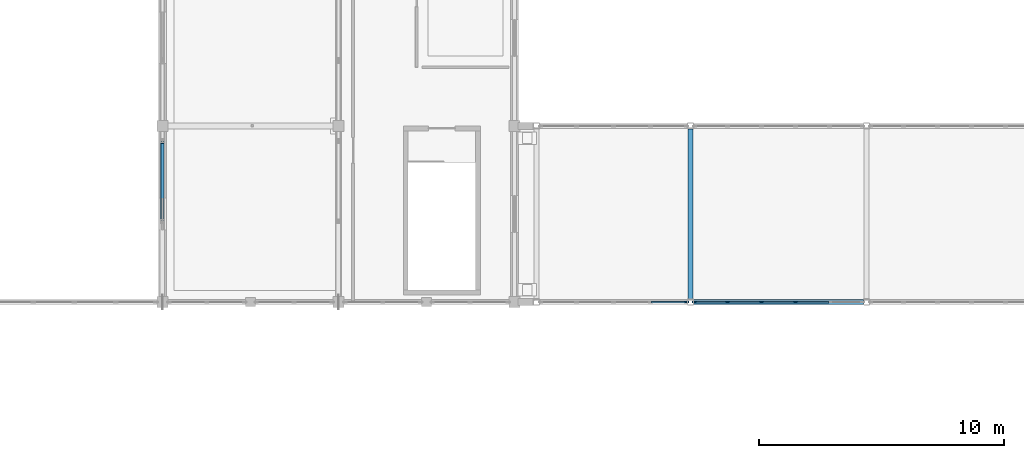
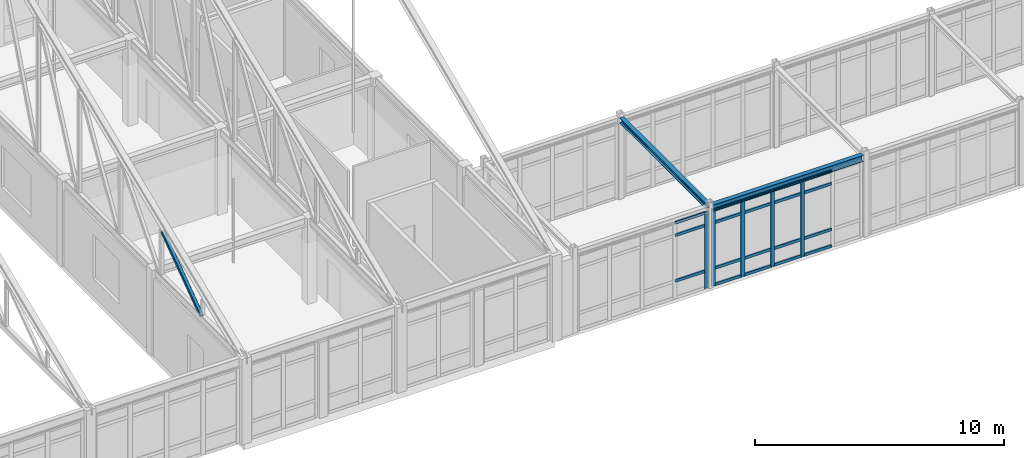
# One storey, part 32 of 136: 25 members, 2 beams, 2 elements without a shape of their own.
"""IFC4 building model written with IfcOpenShell, lengths in metres."""

from ifc_helpers import new_model, si_unit, direction, frame, origin, origin_2d, place, context, subcontext, project, spatial, rectangle, hollow_rectangle, i_section, extrude, material, layer, layer_set, material_profile, profile_set, type_object, element, aggregate, save


model = new_model("IFC4")

# Units and contexts
model_context = context("Model", 3, precision=1e-05, world=origin(), true_north=direction((0.0, 1.0)))
body_context = subcontext(model_context, "Body", "Model", "MODEL_VIEW")
ifc_project = project(units=[si_unit("LENGTHUNIT", "METRE"), si_unit("AREAUNIT", "SQUARE_METRE"), si_unit("VOLUMEUNIT", "CUBIC_METRE"), si_unit("PLANEANGLEUNIT", "RADIAN"), si_unit("MASSUNIT", "GRAM", prefix="KILO")], contexts=[model_context])

# Site, building, storey
site_placement = place(None, origin())
site = spatial("IfcSite", under=ifc_project, at=site_placement, CompositionType="ELEMENT")
building_placement = place(site_placement, origin())
building = spatial("IfcBuilding", under=site, at=building_placement, Name="Koriwan Promenade Central Fire Station", CompositionType="ELEMENT")
storey_placement = place(building_placement, frame((0.0, 0.0, 5.39990234375)))
storey = spatial("IfcBuildingStorey", under=building, at=storey_placement, Name="L01", CompositionType="ELEMENT", Elevation=5.39990234375)

# Curtain wall, member
ifc_material_1 = material(Name="Aluminium EN AW-6063-T6 and low-E glazing", Category="aluminium")
ifc_layer_1 = layer(ifc_material_1, 0.159912109375, Name="Aluminium EN AW-6063-T6 and low-E glazing")
ifc_layer_set_1 = layer_set([ifc_layer_1], Name="Aluminium EN AW-6063-T6 and low-E glazing")
curtain_wall_type_1 = type_object("IfcCurtainWallType", Name="CurtainWall_97_605x374", PredefinedType="USERDEFINED", material=ifc_layer_set_1)
curtain_wall_1_placement = place(storey_placement, origin())
curtain_wall_1 = element("IfcCurtainWall", 1, at=curtain_wall_1_placement, inside=storey, type_object=curtain_wall_type_1, Name="V5 L01 unitised curtain wall 308", ObjectType="UNITISED CURTAIN WALL", PredefinedType="USERDEFINED")
ifc_material_2 = material(Name="Aluminium EN AW-6063-T6", Category="aluminium")
ifc_material_profile_1 = material_profile(ifc_material_2, rectangle(XDim=0.074951171875, YDim=0.179931640625, at=origin_2d()), Name="ALU-MUL-75x180")
ifc_profile_set_1 = profile_set([ifc_material_profile_1], Name="Aluminium EN AW-6063-T6")
member_type_1 = type_object("IfcMemberType", Name="CWMullion_ALU-MUL-75x180", PredefinedType="MULLION", material=ifc_profile_set_1)
member_1_placement = place(storey_placement, frame((122.237548828125, 43.199951171875, 0.0), z_axis=(0.0, 0.0, 1.0), x_axis=(0.0, 1.0, 0.0)))
member_1 = element("IfcMember", 2, at=member_1_placement, type_object=member_type_1, Name="CW-97 mullion 5", PredefinedType="MULLION", context=body_context, shape_type="SweptSolid", body=[
    extrude(rectangle(XDim=0.074951171875, YDim=0.179931640625, at=origin_2d()), origin(), (0.0, 0.0, 1.0), 3.739990234375),
])

# Curtain wall, members
ifc_layer_2 = layer(ifc_material_1, 0.159912109375, Name="Aluminium EN AW-6063-T6 and low-E glazing")
ifc_layer_set_2 = layer_set([ifc_layer_2], Name="Aluminium EN AW-6063-T6 and low-E glazing")
curtain_wall_type_2 = type_object("IfcCurtainWallType", Name="CurtainWall_98_695x374", PredefinedType="USERDEFINED", material=ifc_layer_set_2)
curtain_wall_2_placement = place(storey_placement, origin())
curtain_wall_2 = element("IfcCurtainWall", 3, at=curtain_wall_2_placement, inside=storey, type_object=curtain_wall_type_2, Name="V5 L01 unitised curtain wall 310", ObjectType="UNITISED CURTAIN WALL", PredefinedType="USERDEFINED")
member_2_placement = place(storey_placement, frame((122.5625, 43.199951171875, 0.0), z_axis=(0.0, 0.0, 1.0), x_axis=(0.0, 1.0, 0.0)))
member_2 = element("IfcMember", 4, at=member_2_placement, type_object=member_type_1, Name="CW-98 mullion 1", PredefinedType="MULLION", context=body_context, shape_type="SweptSolid", body=[
    extrude(rectangle(XDim=0.074951171875, YDim=0.179931640625, at=origin_2d()), origin(), (0.0, 0.0, 1.0), 3.739990234375),
])
member_3_placement = place(storey_placement, frame((123.9150390625, 43.199951171875, 0.0), z_axis=(0.0, 0.0, 1.0), x_axis=(0.0, 1.0, 0.0)))
member_3 = element("IfcMember", 5, at=member_3_placement, type_object=member_type_1, Name="CW-98 mullion 2", PredefinedType="MULLION", context=body_context, shape_type="SweptSolid", body=[
    extrude(rectangle(XDim=0.074951171875, YDim=0.179931640625, at=origin_2d()), origin(), (0.0, 0.0, 1.0), 3.739990234375),
])
member_4_placement = place(storey_placement, frame((125.304931640625, 43.199951171875, 0.0), z_axis=(0.0, 0.0, 1.0), x_axis=(0.0, 1.0, 0.0)))
member_4 = element("IfcMember", 6, at=member_4_placement, type_object=member_type_1, Name="CW-98 mullion 3", PredefinedType="MULLION", context=body_context, shape_type="SweptSolid", body=[
    extrude(rectangle(XDim=0.074951171875, YDim=0.179931640625, at=origin_2d()), origin(), (0.0, 0.0, 1.0), 3.739990234375),
])
member_5_placement = place(storey_placement, frame((126.695068359375, 43.199951171875, 0.0), z_axis=(0.0, 0.0, 1.0), x_axis=(0.0, 1.0, 0.0)))
member_5 = element("IfcMember", 7, at=member_5_placement, type_object=member_type_1, Name="CW-98 mullion 4", PredefinedType="MULLION", context=body_context, shape_type="SweptSolid", body=[
    extrude(rectangle(XDim=0.074951171875, YDim=0.179931640625, at=origin_2d()), origin(), (0.0, 0.0, 1.0), 3.739990234375),
])

# Member
ifc_material_profile_2 = material_profile(ifc_material_2, rectangle(XDim=0.074951171875, YDim=0.139892578125, at=origin_2d()), Name="ALU-TRN-75x140")
ifc_profile_set_2 = profile_set([ifc_material_profile_2], Name="Aluminium EN AW-6063-T6")
member_type_2 = type_object("IfcMemberType", Name="CWTransom_ALU-TRN-75x140", PredefinedType="USERDEFINED", material=ifc_profile_set_2)
member_6_placement = place(storey_placement, frame((120.800048828125, 43.199951171875, 0.85009765625), z_axis=(1.0, 0.0, 0.0), x_axis=(0.0, 1.0, 0.0)))
member_6 = element("IfcMember", 8, at=member_6_placement, type_object=member_type_2, Name="CW-97 transom 4.2", ObjectType="TRANSOM", PredefinedType="USERDEFINED", context=body_context, shape_type="SweptSolid", body=[
    extrude(rectangle(XDim=0.074951171875, YDim=0.139892578125, at=origin_2d()), origin(), (0.0, 0.0, 1.0), 1.39990234375),
])

member_7_placement = place(storey_placement, frame((120.800048828125, 43.199951171875, 3.090087890625), z_axis=(1.0, 0.0, 0.0), x_axis=(0.0, 1.0, 0.0)))
member_7 = element("IfcMember", 9, at=member_7_placement, type_object=member_type_2, Name="CW-97 transom 4.3", ObjectType="TRANSOM", PredefinedType="USERDEFINED", context=body_context, shape_type="SweptSolid", body=[
    extrude(rectangle(XDim=0.074951171875, YDim=0.139892578125, at=origin_2d()), origin(), (0.0, 0.0, 1.0), 1.39990234375),
])

member_8_placement = place(storey_placement, frame((120.800048828125, 43.199951171875, 3.70263671875), z_axis=(1.0, 0.0, 0.0), x_axis=(0.0, 1.0, 0.0)))
member_8 = element("IfcMember", 10, at=member_8_placement, type_object=member_type_2, Name="CW-97 transom 4.4", ObjectType="TRANSOM", PredefinedType="USERDEFINED", context=body_context, shape_type="SweptSolid", body=[
    extrude(rectangle(XDim=0.074951171875, YDim=0.139892578125, at=origin_2d()), origin(), (0.0, 0.0, 1.0), 1.39990234375),
])

aggregate(curtain_wall_1, [member_1, member_6, member_7, member_8])

member_9_placement = place(storey_placement, frame((122.60009765625, 43.199951171875, 0.03759765625), z_axis=(1.0, 0.0, 0.0), x_axis=(0.0, 1.0, 0.0)))
member_9 = element("IfcMember", 11, at=member_9_placement, type_object=member_type_2, Name="CW-98 transom 1.1", ObjectType="TRANSOM", PredefinedType="USERDEFINED", context=body_context, shape_type="SweptSolid", body=[
    extrude(rectangle(XDim=0.074951171875, YDim=0.139892578125, at=origin_2d()), origin(), (0.0, 0.0, 1.0), 1.27734375),
])

member_10_placement = place(storey_placement, frame((122.60009765625, 43.199951171875, 0.85009765625), z_axis=(1.0, 0.0, 0.0), x_axis=(0.0, 1.0, 0.0)))
member_10 = element("IfcMember", 12, at=member_10_placement, type_object=member_type_2, Name="CW-98 transom 1.2", ObjectType="TRANSOM", PredefinedType="USERDEFINED", context=body_context, shape_type="SweptSolid", body=[
    extrude(rectangle(XDim=0.074951171875, YDim=0.139892578125, at=origin_2d()), origin(), (0.0, 0.0, 1.0), 1.27734375),
])

member_11_placement = place(storey_placement, frame((122.60009765625, 43.199951171875, 3.090087890625), z_axis=(1.0, 0.0, 0.0), x_axis=(0.0, 1.0, 0.0)))
member_11 = element("IfcMember", 13, at=member_11_placement, type_object=member_type_2, Name="CW-98 transom 1.3", ObjectType="TRANSOM", PredefinedType="USERDEFINED", context=body_context, shape_type="SweptSolid", body=[
    extrude(rectangle(XDim=0.074951171875, YDim=0.139892578125, at=origin_2d()), origin(), (0.0, 0.0, 1.0), 1.27734375),
])

member_12_placement = place(storey_placement, frame((122.60009765625, 43.199951171875, 3.70263671875), z_axis=(1.0, 0.0, 0.0), x_axis=(0.0, 1.0, 0.0)))
member_12 = element("IfcMember", 14, at=member_12_placement, type_object=member_type_2, Name="CW-98 transom 1.4", ObjectType="TRANSOM", PredefinedType="USERDEFINED", context=body_context, shape_type="SweptSolid", body=[
    extrude(rectangle(XDim=0.074951171875, YDim=0.139892578125, at=origin_2d()), origin(), (0.0, 0.0, 1.0), 1.27734375),
])

member_13_placement = place(storey_placement, frame((123.952392578125, 43.199951171875, 0.03759765625), z_axis=(1.0, 0.0, 0.0), x_axis=(0.0, 1.0, 0.0)))
member_13 = element("IfcMember", 15, at=member_13_placement, type_object=member_type_2, Name="CW-98 transom 2.1", ObjectType="TRANSOM", PredefinedType="USERDEFINED", context=body_context, shape_type="SweptSolid", body=[
    extrude(rectangle(XDim=0.074951171875, YDim=0.139892578125, at=origin_2d()), origin(), (0.0, 0.0, 1.0), 1.315185546875),
])

member_14_placement = place(storey_placement, frame((123.952392578125, 43.199951171875, 0.85009765625), z_axis=(1.0, 0.0, 0.0), x_axis=(0.0, 1.0, 0.0)))
member_14 = element("IfcMember", 16, at=member_14_placement, type_object=member_type_2, Name="CW-98 transom 2.2", ObjectType="TRANSOM", PredefinedType="USERDEFINED", context=body_context, shape_type="SweptSolid", body=[
    extrude(rectangle(XDim=0.074951171875, YDim=0.139892578125, at=origin_2d()), origin(), (0.0, 0.0, 1.0), 1.315185546875),
])

member_15_placement = place(storey_placement, frame((123.952392578125, 43.199951171875, 3.090087890625), z_axis=(1.0, 0.0, 0.0), x_axis=(0.0, 1.0, 0.0)))
member_15 = element("IfcMember", 17, at=member_15_placement, type_object=member_type_2, Name="CW-98 transom 2.3", ObjectType="TRANSOM", PredefinedType="USERDEFINED", context=body_context, shape_type="SweptSolid", body=[
    extrude(rectangle(XDim=0.074951171875, YDim=0.139892578125, at=origin_2d()), origin(), (0.0, 0.0, 1.0), 1.315185546875),
])

member_16_placement = place(storey_placement, frame((123.952392578125, 43.199951171875, 3.70263671875), z_axis=(1.0, 0.0, 0.0), x_axis=(0.0, 1.0, 0.0)))
member_16 = element("IfcMember", 18, at=member_16_placement, type_object=member_type_2, Name="CW-98 transom 2.4", ObjectType="TRANSOM", PredefinedType="USERDEFINED", context=body_context, shape_type="SweptSolid", body=[
    extrude(rectangle(XDim=0.074951171875, YDim=0.139892578125, at=origin_2d()), origin(), (0.0, 0.0, 1.0), 1.315185546875),
])

member_17_placement = place(storey_placement, frame((125.342529296875, 43.199951171875, 0.03759765625), z_axis=(1.0, 0.0, 0.0), x_axis=(0.0, 1.0, 0.0)))
member_17 = element("IfcMember", 19, at=member_17_placement, type_object=member_type_2, Name="CW-98 transom 3.1", ObjectType="TRANSOM", PredefinedType="USERDEFINED", context=body_context, shape_type="SweptSolid", body=[
    extrude(rectangle(XDim=0.074951171875, YDim=0.139892578125, at=origin_2d()), origin(), (0.0, 0.0, 1.0), 1.31494140625),
])

member_18_placement = place(storey_placement, frame((125.342529296875, 43.199951171875, 0.85009765625), z_axis=(1.0, 0.0, 0.0), x_axis=(0.0, 1.0, 0.0)))
member_18 = element("IfcMember", 20, at=member_18_placement, type_object=member_type_2, Name="CW-98 transom 3.2", ObjectType="TRANSOM", PredefinedType="USERDEFINED", context=body_context, shape_type="SweptSolid", body=[
    extrude(rectangle(XDim=0.074951171875, YDim=0.139892578125, at=origin_2d()), origin(), (0.0, 0.0, 1.0), 1.31494140625),
])

member_19_placement = place(storey_placement, frame((125.342529296875, 43.199951171875, 3.090087890625), z_axis=(1.0, 0.0, 0.0), x_axis=(0.0, 1.0, 0.0)))
member_19 = element("IfcMember", 21, at=member_19_placement, type_object=member_type_2, Name="CW-98 transom 3.3", ObjectType="TRANSOM", PredefinedType="USERDEFINED", context=body_context, shape_type="SweptSolid", body=[
    extrude(rectangle(XDim=0.074951171875, YDim=0.139892578125, at=origin_2d()), origin(), (0.0, 0.0, 1.0), 1.31494140625),
])

member_20_placement = place(storey_placement, frame((125.342529296875, 43.199951171875, 3.70263671875), z_axis=(1.0, 0.0, 0.0), x_axis=(0.0, 1.0, 0.0)))
member_20 = element("IfcMember", 22, at=member_20_placement, type_object=member_type_2, Name="CW-98 transom 3.4", ObjectType="TRANSOM", PredefinedType="USERDEFINED", context=body_context, shape_type="SweptSolid", body=[
    extrude(rectangle(XDim=0.074951171875, YDim=0.139892578125, at=origin_2d()), origin(), (0.0, 0.0, 1.0), 1.31494140625),
])

member_21_placement = place(storey_placement, frame((126.732421875, 43.199951171875, 0.03759765625), z_axis=(1.0, 0.0, 0.0), x_axis=(0.0, 1.0, 0.0)))
member_21 = element("IfcMember", 23, at=member_21_placement, type_object=member_type_2, Name="CW-98 transom 4.1", ObjectType="TRANSOM", PredefinedType="USERDEFINED", context=body_context, shape_type="SweptSolid", body=[
    extrude(rectangle(XDim=0.074951171875, YDim=0.139892578125, at=origin_2d()), origin(), (0.0, 0.0, 1.0), 1.315185546875),
])

member_22_placement = place(storey_placement, frame((126.732421875, 43.199951171875, 0.85009765625), z_axis=(1.0, 0.0, 0.0), x_axis=(0.0, 1.0, 0.0)))
member_22 = element("IfcMember", 24, at=member_22_placement, type_object=member_type_2, Name="CW-98 transom 4.2", ObjectType="TRANSOM", PredefinedType="USERDEFINED", context=body_context, shape_type="SweptSolid", body=[
    extrude(rectangle(XDim=0.074951171875, YDim=0.139892578125, at=origin_2d()), origin(), (0.0, 0.0, 1.0), 1.315185546875),
])

member_23_placement = place(storey_placement, frame((126.732421875, 43.199951171875, 3.090087890625), z_axis=(1.0, 0.0, 0.0), x_axis=(0.0, 1.0, 0.0)))
member_23 = element("IfcMember", 25, at=member_23_placement, type_object=member_type_2, Name="CW-98 transom 4.3", ObjectType="TRANSOM", PredefinedType="USERDEFINED", context=body_context, shape_type="SweptSolid", body=[
    extrude(rectangle(XDim=0.074951171875, YDim=0.139892578125, at=origin_2d()), origin(), (0.0, 0.0, 1.0), 1.315185546875),
])

member_24_placement = place(storey_placement, frame((126.732421875, 43.199951171875, 3.70263671875), z_axis=(1.0, 0.0, 0.0), x_axis=(0.0, 1.0, 0.0)))
member_24 = element("IfcMember", 26, at=member_24_placement, type_object=member_type_2, Name="CW-98 transom 4.4", ObjectType="TRANSOM", PredefinedType="USERDEFINED", context=body_context, shape_type="SweptSolid", body=[
    extrude(rectangle(XDim=0.074951171875, YDim=0.139892578125, at=origin_2d()), origin(), (0.0, 0.0, 1.0), 1.315185546875),
])

aggregate(curtain_wall_2, [member_2, member_3, member_4, member_5, member_9, member_10, member_11, member_12, member_13, member_14, member_15, member_16, member_17, member_18, member_19, member_20, member_21, member_22, member_23, member_24])

ifc_material_3 = material(Name="Steel ASTM A500 Grade C", Category="steel")
ifc_material_profile_3 = material_profile(ifc_material_3, hollow_rectangle(XDim=0.14990234375, YDim=0.14990234375, WallThickness=0.008056640625, InnerFilletRadius=0.008056640625, OuterFilletRadius=0.01611328125, at=origin_2d()), Name="HSS150x150x8")
ifc_profile_set_3 = profile_set([ifc_material_profile_3], Name="Steel ASTM A500 Grade C")
member_type_3 = type_object("IfcMemberType", Name="Member_STRUT_HSS150x150x8", PredefinedType="STRUT", material=ifc_profile_set_3)
member_25_placement = place(storey_placement, frame((100.800048828125, 46.580078125, 4.070068359375), z_axis=(0.0, 0.812399692359, 0.583100968834), x_axis=(-1.0, 0.0, 0.0)))
element("IfcMember", 27, at=member_25_placement, inside=storey, type_object=member_type_3, Name="TR_V1_07 web diagonal 2", PredefinedType="STRUT", context=body_context, shape_type="SweptSolid", body=[
    extrude(hollow_rectangle(XDim=0.14990234375, YDim=0.14990234375, WallThickness=0.008056640625, InnerFilletRadius=0.008056640625, OuterFilletRadius=0.01611328125, at=origin_2d()), origin(), (0.0, 0.0, 1.0), 3.864990234375),
])

# Beams
ifc_material_4 = material(Name="Steel ASTM A992 Grade 50", Category="steel")
ifc_material_profile_4 = material_profile(ifc_material_4, i_section(OverallWidth=0.202880859375, OverallDepth=0.251953125, WebThickness=0.008056640625, FlangeThickness=0.013427734375, FilletRadius=0.012939453125, at=origin_2d()), Name="W250x58")
ifc_profile_set_4 = profile_set([ifc_material_profile_4], Name="Steel ASTM A992 Grade 50")
beam_type_1 = type_object("IfcBeamType", Name="SteelBeam_W250x58", PredefinedType="JOIST", material=ifc_profile_set_4)
beam_1_placement = place(storey_placement, frame((122.39990234375, 43.330078125, 3.89404296875), z_axis=(0.0, 1.0, 0.0), x_axis=(-1.0, 0.0, 0.0)))
element("IfcBeam", 28, at=beam_1_placement, inside=storey, type_object=beam_type_1, Name="Bridge roof cross beam 1138", PredefinedType="JOIST", context=body_context, shape_type="SweptSolid", body=[
    extrude(i_section(OverallWidth=0.202880859375, OverallDepth=0.251953125, WebThickness=0.008056640625, FlangeThickness=0.013427734375, FilletRadius=0.012939453125, at=origin_2d()), origin(), (0.0, 0.0, 1.0), 6.93994140625),
])
ifc_material_profile_5 = material_profile(ifc_material_4, i_section(OverallWidth=0.205078125, OverallDepth=0.31005859375, WebThickness=0.009521484375, FlangeThickness=0.016357421875, FilletRadius=0.014892578125, at=origin_2d()), Name="W310x74")
ifc_profile_set_5 = profile_set([ifc_material_profile_5], Name="Steel ASTM A992 Grade 50")
beam_type_2 = type_object("IfcBeamType", Name="SteelBeam_W310x74", PredefinedType="BEAM", material=ifc_profile_set_5)
beam_2_placement = place(storey_placement, frame((122.530029296875, 43.199951171875, 3.864990234375), z_axis=(1.0, 0.0, 0.0), x_axis=(0.0, 1.0, 0.0)))
element("IfcBeam", 29, at=beam_2_placement, inside=storey, type_object=beam_type_2, Name="Bridge roof girder 1118", PredefinedType="BEAM", context=body_context, shape_type="SweptSolid", body=[
    extrude(i_section(OverallWidth=0.205078125, OverallDepth=0.31005859375, WebThickness=0.009521484375, FlangeThickness=0.016357421875, FilletRadius=0.014892578125, at=origin_2d()), origin(), (0.0, 0.0, 1.0), 6.93994140625),
])

save(model, "model.ifc")
